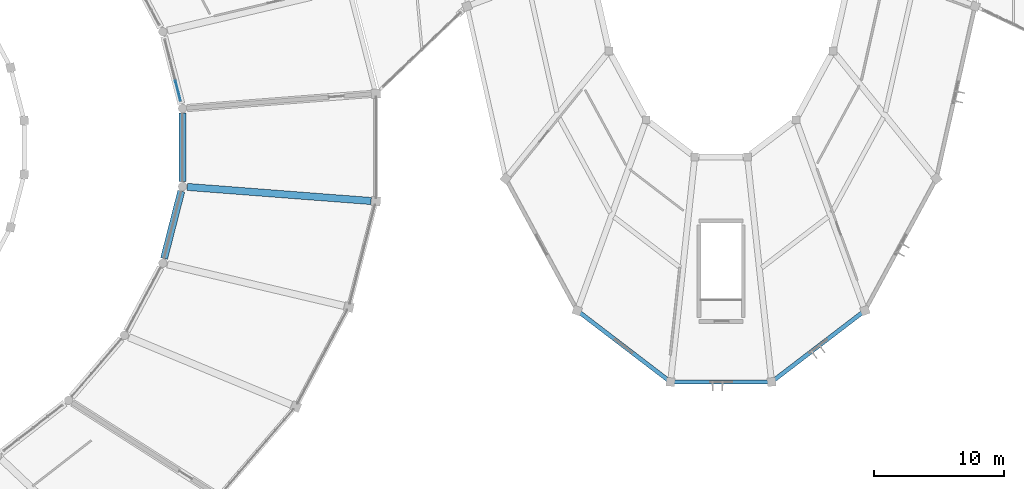
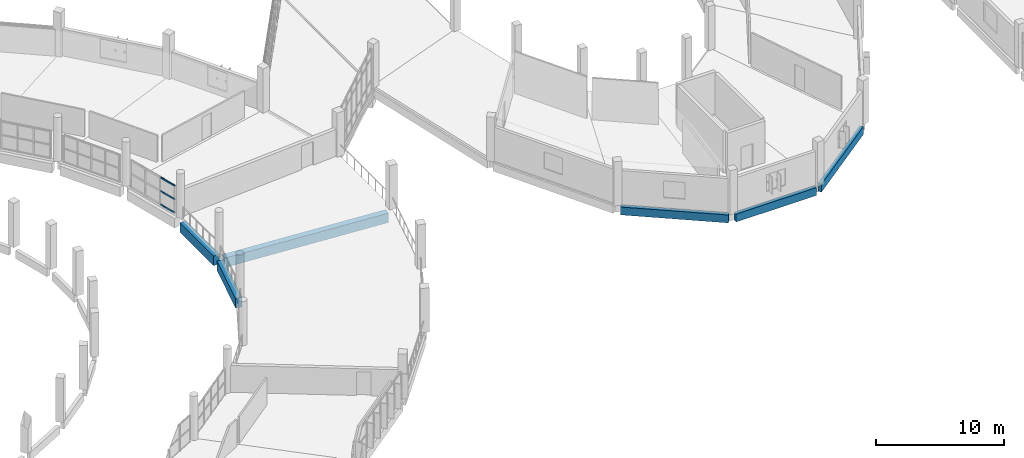
# One storey, part 48 of 142: 6 beams, 3 members, 1 element without a shape of its own.
"""IFC4 building model written with IfcOpenShell, lengths in metres."""

from ifc_helpers import new_model, si_unit, direction, frame, origin, origin_2d, place, context, subcontext, project, spatial, rectangle, extrude, material, layer, layer_set, material_profile, profile_set, type_object, element, aggregate, save


model = new_model("IFC4")

# Units and contexts
model_context = context("Model", 3, precision=1e-05, world=origin(), true_north=direction((0.0, 1.0)))
body_context = subcontext(model_context, "Body", "Model", "MODEL_VIEW")
ifc_project = project(units=[si_unit("LENGTHUNIT", "METRE"), si_unit("AREAUNIT", "SQUARE_METRE"), si_unit("VOLUMEUNIT", "CUBIC_METRE"), si_unit("PLANEANGLEUNIT", "RADIAN"), si_unit("MASSUNIT", "GRAM", prefix="KILO")], contexts=[model_context])

# Site, building, storey
site_placement = place(None, origin())
site = spatial("IfcSite", under=ifc_project, at=site_placement, CompositionType="ELEMENT")
building_placement = place(site_placement, origin())
building = spatial("IfcBuilding", under=site, at=building_placement, Name="Corvandel Quay Wholesale Market", CompositionType="ELEMENT")
storey_placement = place(building_placement, frame((0.0, 0.0, 10.800048828125)))
storey = spatial("IfcBuildingStorey", under=building, at=storey_placement, Name="L02", CompositionType="ELEMENT", Elevation=10.800048828125)

# Curtain wall, members
ifc_material_1 = material(Name="Bronze anodised aluminium and low-E insulated glazing", Category="aluminium")
ifc_layer = layer(ifc_material_1, 0.174072265625)
ifc_layer_set = layer_set([ifc_layer], Name="Bronze anodised aluminium and low-E insulated glazing")
curtain_wall_type = type_object("IfcCurtainWallType", Name="Stick Curtain Wall System CW22 H4980", PredefinedType="NOTDEFINED", material=ifc_layer_set)
curtain_wall_placement = place(storey_placement, origin())
curtain_wall = element("IfcCurtainWall", 1, at=curtain_wall_placement, inside=storey, type_object=curtain_wall_type, Name="Curtain Wall CW-0002", PredefinedType="NOTDEFINED")
ifc_material_2 = material(Name="Anodised aluminium 6063-T6", Category="aluminium")
ifc_material_profile_1 = material_profile(ifc_material_2, rectangle(XDim=0.06005859375, YDim=0.110107421875, at=origin_2d()), Name="ALU-TRN-60x110")
ifc_profile_set_1 = profile_set([ifc_material_profile_1], Name="Anodised aluminium 6063-T6")
member_type = type_object("IfcMemberType", Name="Curtain Wall Transom TR02 60x110", PredefinedType="USERDEFINED", material=ifc_profile_set_1)
member_1_placement = place(storey_placement, frame((152.9931640625, 45.61181640625, 0.0), z_axis=(-0.247874263937, 0.968792211611, 0.0), x_axis=(-0.968792211611, -0.247874263937, 0.0)))
member_1 = element("IfcMember", 2, at=member_1_placement, type_object=member_type, Name="Transom CW-0002-T00-0", ObjectType="TRANSOM", PredefinedType="USERDEFINED", context=body_context, shape_type="SweptSolid", body=[
    extrude(rectangle(XDim=0.06005859375, YDim=0.110107421875, at=origin_2d()), origin(), (0.0, 0.0, 1.0), 1.55908203125),
])
member_2_placement = place(storey_placement, frame((152.9931640625, 45.61181640625, 1.27490234375), z_axis=(-0.247874263937, 0.968792211611, 0.0), x_axis=(-0.968792211611, -0.247874263937, 0.0)))
member_2 = element("IfcMember", 3, at=member_2_placement, type_object=member_type, Name="Transom CW-0002-T00-1", ObjectType="TRANSOM", PredefinedType="USERDEFINED", context=body_context, shape_type="SweptSolid", body=[
    extrude(rectangle(XDim=0.06005859375, YDim=0.110107421875, at=origin_2d()), origin(), (0.0, 0.0, 1.0), 1.55908203125),
])
member_3_placement = place(storey_placement, frame((152.9931640625, 45.61181640625, 2.550048828125), z_axis=(-0.247874263937, 0.968792211611, 0.0), x_axis=(-0.968792211611, -0.247874263937, 0.0)))
member_3 = element("IfcMember", 4, at=member_3_placement, type_object=member_type, Name="Transom CW-0002-T00-2", ObjectType="TRANSOM", PredefinedType="USERDEFINED", context=body_context, shape_type="SweptSolid", body=[
    extrude(rectangle(XDim=0.06005859375, YDim=0.110107421875, at=origin_2d()), origin(), (0.0, 0.0, 1.0), 1.55908203125),
])
aggregate(curtain_wall, [member_1, member_2, member_3])

# Beams
ifc_material_3 = material(Name="Precast concrete C45/55", Category="concrete")
ifc_material_profile_2 = material_profile(ifc_material_3, rectangle(XDim=0.320068359375, YDim=0.75, at=origin_2d()), Name="PC-SPN-320x750")
ifc_profile_set_2 = profile_set([ifc_material_profile_2], Name="Precast concrete C45/55")
beam_type_1 = type_object("IfcBeamType", Name="Pavilion Precast Spandrel SP02 320x750", PredefinedType="SPANDREL", material=ifc_profile_set_2)
beam_1_placement = place(storey_placement, frame((183.66845703125, 29.31689453125, -0.594970703125), z_axis=(0.794345578607, -0.607466132182, 0.0), x_axis=(0.607466132182, 0.794345578607, 0.0)))
element("IfcBeam", 5, at=beam_1_placement, inside=storey, type_object=beam_type_1, Name="Beam BM-0877", PredefinedType="SPANDREL", context=body_context, shape_type="SweptSolid", body=[
    extrude(rectangle(XDim=0.320068359375, YDim=0.75, at=origin_2d()), origin(), (0.0, 0.0, 1.0), 8.482421875),
])
beam_2_placement = place(storey_placement, frame((190.89111328125, 24.0, -0.594970703125), z_axis=(1.0, 0.0, 0.0), x_axis=(0.0, 1.0, 0.0)))
element("IfcBeam", 6, at=beam_2_placement, inside=storey, type_object=beam_type_1, Name="Beam BM-0887", PredefinedType="SPANDREL", context=body_context, shape_type="SweptSolid", body=[
    extrude(rectangle(XDim=0.320068359375, YDim=0.75, at=origin_2d()), origin(), (0.0, 0.0, 1.0), 7.2177734375),
])
beam_3_placement = place(storey_placement, frame((198.593505859375, 24.1640625, -0.594970703125), z_axis=(0.794345578607, 0.607466132182, 0.0), x_axis=(-0.607466132182, 0.794345578607, 0.0)))
element("IfcBeam", 7, at=beam_3_placement, inside=storey, type_object=beam_type_1, Name="Beam BM-0897", PredefinedType="SPANDREL", context=body_context, shape_type="SweptSolid", body=[
    extrude(rectangle(XDim=0.320068359375, YDim=0.75, at=origin_2d()), origin(), (0.0, 0.0, 1.0), 8.482421875),
])
ifc_material_profile_3 = material_profile(ifc_material_3, rectangle(XDim=0.550048828125, YDim=0.89990234375, at=origin_2d()), Name="PC-GIR-550x900")
ifc_profile_set_3 = profile_set([ifc_material_profile_3], Name="Precast concrete C45/55")
beam_type_2 = type_object("IfcBeamType", Name="Produce Hall Radial Girder G03 550x900", PredefinedType="USERDEFINED", material=ifc_profile_set_3)
beam_4_placement = place(storey_placement, frame((151.73681640625, 33.4765625, -0.77001953125), z_axis=(0.247832250622, 0.968802960127, 0.0), x_axis=(-0.968802960127, 0.247832250622, 0.0)))
element("IfcBeam", 8, at=beam_4_placement, inside=storey, type_object=beam_type_2, Name="Beam BM-0376", ObjectType="GIRDER", PredefinedType="USERDEFINED", context=body_context, shape_type="SweptSolid", body=[
    extrude(rectangle(XDim=0.550048828125, YDim=0.89990234375, at=origin_2d()), origin(), (0.0, 0.0, 1.0), 5.332275390625),
])
beam_5_placement = place(storey_placement, frame((153.14990234375, 39.37109375, -0.77001953125), z_axis=(0.0, 1.0, 0.0), x_axis=(-1.0, 0.0, 0.0)))
element("IfcBeam", 9, at=beam_5_placement, inside=storey, type_object=beam_type_2, Name="Beam BM-0388", ObjectType="GIRDER", PredefinedType="USERDEFINED", context=body_context, shape_type="SweptSolid", body=[
    extrude(rectangle(XDim=0.550048828125, YDim=0.89990234375, at=origin_2d()), origin(), (0.0, 0.0, 1.0), 5.2578125),
])
beam_6_placement = place(storey_placement, frame((167.631103515625, 37.891357421875, -0.77001953125), z_axis=(-0.997077473405, 0.076397068191, 0.0), x_axis=(-0.076397068191, -0.997077473405, 0.0)))
element("IfcBeam", 10, at=beam_6_placement, inside=storey, type_object=beam_type_2, Name="Beam BM-0390", ObjectType="GIRDER", PredefinedType="USERDEFINED", context=body_context, shape_type="SweptSolid", body=[
    extrude(rectangle(XDim=0.550048828125, YDim=0.89990234375, at=origin_2d()), origin(), (0.0, 0.0, 1.0), 14.153564453125),
])

save(model, "model.ifc")
